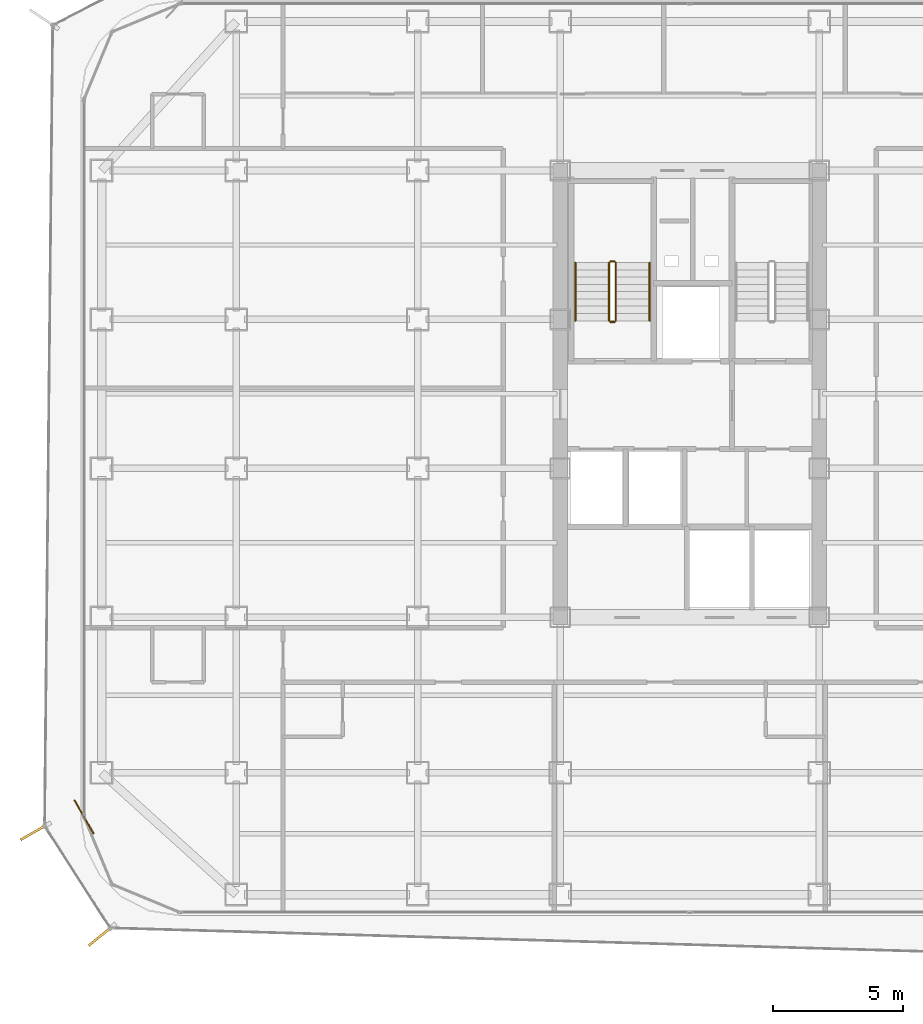
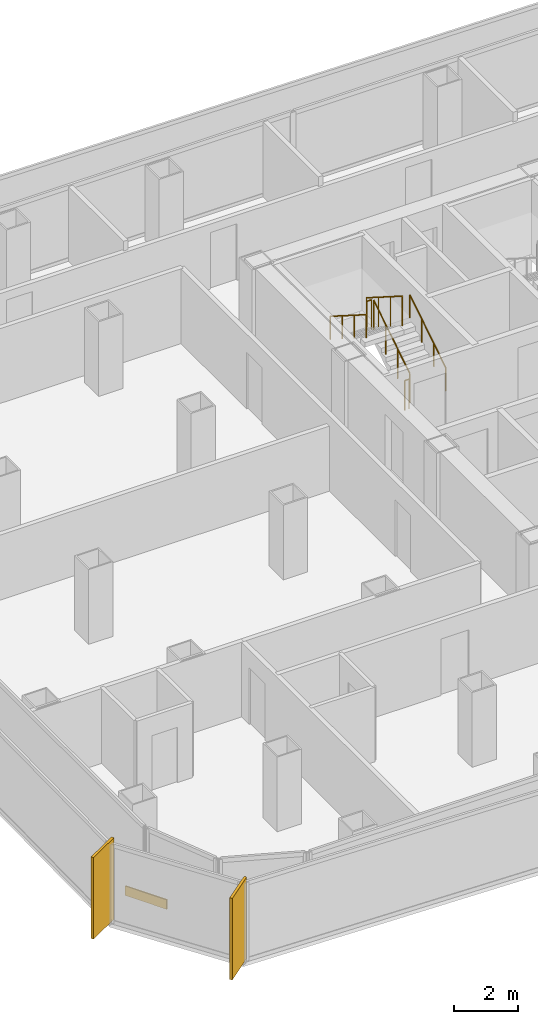
# One storey, part 19 of 21: 6 railings, 2 shading devices, 1 covering.
"""IFC4 building model written with IfcOpenShell, lengths in metres."""

from ifc_helpers import new_model, si_unit, direction, frame, origin, origin_2d, place, context, subcontext, project, spatial, rectangle, circle, extrude, source, transform, mapped, material, layer, layer_set, type_object, element, save


model = new_model("IFC4")

# Units and contexts
model_context = context("Model", 3, precision=1e-05, world=origin(), true_north=direction((0.0, 1.0)))
body_context = subcontext(model_context, "Body", "Model", "MODEL_VIEW")
ifc_project = project(units=[si_unit("LENGTHUNIT", "METRE"), si_unit("AREAUNIT", "SQUARE_METRE"), si_unit("VOLUMEUNIT", "CUBIC_METRE"), si_unit("PLANEANGLEUNIT", "RADIAN"), si_unit("MASSUNIT", "GRAM", prefix="KILO")], contexts=[model_context])

# Site, building, storey
site_placement = place(None, origin())
site = spatial("IfcSite", under=ifc_project, at=site_placement, CompositionType="ELEMENT")
building_placement = place(site_placement, origin())
building = spatial("IfcBuilding", under=site, at=building_placement, Name="Kolveth Station Tower", CompositionType="ELEMENT")
storey_placement = place(building_placement, frame((0.0, 0.0, 148.39990234375)))
storey = spatial("IfcBuildingStorey", under=building, at=storey_placement, Name="L41", CompositionType="ELEMENT", Elevation=148.39990234375)

# Railings
ifc_material_1 = material(Name="Painted Steel S355 balustrade", Category="steel")
railing_type_1 = type_object("IfcRailingType", Name="Guard_GR2", PredefinedType="BALUSTRADE", material=ifc_material_1)
railing_1_placement = place(storey_placement, frame((20.64990234375, 22.949951171875, 0.177978515625)))
element("IfcRailing", 1, at=railing_1_placement, inside=storey, type_object=railing_type_1, Name="L41 ST1 stair guard 1", PredefinedType="BALUSTRADE", context=body_context, shape_type="SweptSolid", body=[
    extrude(circle(Radius=0.02392578125, at=origin_2d()), frame((0.0, 0.0, 1.1259765625), z_axis=(0.0, 0.8442293374, 0.53598211339), x_axis=(-1.0, 0.0, 0.0)), (0.0, 0.0, 1.0), 2.6533203125),
    extrude(circle(Radius=0.02099609375, at=origin_2d()), origin(), (0.0, 0.0, 1.0), 1.101806640625),
    extrude(circle(Radius=0.02099609375, at=origin_2d()), frame((0.0, 0.74658203125, 0.47412109375)), (0.0, 0.0, 1.0), 1.101806640625),
    extrude(circle(Radius=0.02099609375, at=origin_2d()), frame((0.0, 1.493408203125, 0.947998046875)), (0.0, 0.0, 1.0), 1.101806640625),
    extrude(circle(Radius=0.02099609375, at=origin_2d()), frame((0.0, 2.239990234375, 1.422119140625)), (0.0, 0.0, 1.0), 1.101806640625),
])
railing_2_placement = place(storey_placement, frame((20.60009765625, 25.239990234375, 1.60009765625)))
element("IfcRailing", 2, at=railing_2_placement, inside=storey, type_object=railing_type_1, Name="L41 ST1 stair guard 2", PredefinedType="BALUSTRADE", context=body_context, shape_type="SweptSolid", body=[
    extrude(circle(Radius=0.02392578125, at=origin_2d()), frame((0.0, 0.0, 1.1259765625), z_axis=(-1.0, 0.0, 0.0), x_axis=(0.0, -1.0, 0.0)), (0.0, 0.0, 1.0), 0.16015625),
    extrude(circle(Radius=0.02099609375, at=origin_2d()), origin(), (0.0, 0.0, 1.0), 1.101806640625),
    extrude(circle(Radius=0.02099609375, at=origin_2d()), frame((-0.16015625, 0.0, 0.0)), (0.0, 0.0, 1.0), 1.101806640625),
])
railing_3_placement = place(storey_placement, frame((20.389892578125, 25.18994140625, 1.77783203125)))
element("IfcRailing", 3, at=railing_3_placement, inside=storey, type_object=railing_type_1, Name="L41 ST1 stair guard 3", PredefinedType="BALUSTRADE", context=body_context, shape_type="SweptSolid", body=[
    extrude(circle(Radius=0.02392578125, at=origin_2d()), frame((0.0, 0.0, 1.1259765625), z_axis=(0.0, -0.84418770128, 0.536047689118), x_axis=(1.0, 0.0, 0.0)), (0.0, 0.0, 1.0), 2.6533203125),
    extrude(circle(Radius=0.02099609375, at=origin_2d()), origin(), (0.0, 0.0, 1.0), 1.101806640625),
    extrude(circle(Radius=0.02099609375, at=origin_2d()), frame((0.0, -0.74658203125, 0.47412109375)), (0.0, 0.0, 1.0), 1.101806640625),
    extrude(circle(Radius=0.02099609375, at=origin_2d()), frame((0.0, -1.493408203125, 0.9482421875)), (0.0, 0.0, 1.0), 1.101806640625),
    extrude(circle(Radius=0.02099609375, at=origin_2d()), frame((0.0, -2.239990234375, 1.42236328125)), (0.0, 0.0, 1.0), 1.101806640625),
])
railing_4_placement = place(storey_placement, frame((20.60009765625, 22.89990234375, 0.0)))
element("IfcRailing", 4, at=railing_4_placement, inside=storey, type_object=railing_type_1, Name="L41 ST1 stair guard 4", PredefinedType="BALUSTRADE", context=body_context, shape_type="SweptSolid", body=[
    extrude(circle(Radius=0.02392578125, at=origin_2d()), frame((0.0, 0.0, 1.1259765625), z_axis=(-1.0, 0.0, 0.0), x_axis=(0.0, -1.0, 0.0)), (0.0, 0.0, 1.0), 0.16015625),
    extrude(circle(Radius=0.02099609375, at=origin_2d()), origin(), (0.0, 0.0, 1.0), 1.101806640625),
    extrude(circle(Radius=0.02099609375, at=origin_2d()), frame((-0.16015625, 0.0, 0.0)), (0.0, 0.0, 1.0), 1.101806640625),
])
ifc_material_2 = material(Name="Brushed stainless steel", Category="steel")
railing_type_2 = type_object("IfcRailingType", Name="Handrail_HR1", PredefinedType="HANDRAIL", material=ifc_material_2)
railing_5_placement = place(storey_placement, frame((21.949951171875, 22.949951171875, 0.177978515625)))
element("IfcRailing", 5, at=railing_5_placement, inside=storey, type_object=railing_type_2, Name="L41 ST1 stair handrail 1", PredefinedType="HANDRAIL", context=body_context, shape_type="SweptSolid", body=[
    extrude(circle(Radius=0.02392578125, at=origin_2d()), frame((0.0, 0.0, 0.8759765625), z_axis=(0.0, 0.8442293374, 0.53598211339), x_axis=(-1.0, 0.0, 0.0)), (0.0, 0.0, 1.0), 2.6533203125),
    extrude(circle(Radius=0.02099609375, at=origin_2d()), origin(), (0.0, 0.0, 1.0), 0.851806640625),
    extrude(circle(Radius=0.02099609375, at=origin_2d()), frame((0.0, 0.74658203125, 0.47412109375)), (0.0, 0.0, 1.0), 0.851806640625),
    extrude(circle(Radius=0.02099609375, at=origin_2d()), frame((0.0, 1.493408203125, 0.947998046875)), (0.0, 0.0, 1.0), 0.851806640625),
    extrude(circle(Radius=0.02099609375, at=origin_2d()), frame((0.0, 2.239990234375, 1.422119140625)), (0.0, 0.0, 1.0), 0.851806640625),
])
railing_6_placement = place(storey_placement, frame((19.090087890625, 25.18994140625, 1.77783203125)))
element("IfcRailing", 6, at=railing_6_placement, inside=storey, type_object=railing_type_2, Name="L41 ST1 stair handrail 2", PredefinedType="HANDRAIL", context=body_context, shape_type="SweptSolid", body=[
    extrude(circle(Radius=0.02392578125, at=origin_2d()), frame((0.0, 0.0, 0.8759765625), z_axis=(0.0, -0.84418770128, 0.536047689118), x_axis=(1.0, 0.0, 0.0)), (0.0, 0.0, 1.0), 2.6533203125),
    extrude(circle(Radius=0.02099609375, at=origin_2d()), origin(), (0.0, 0.0, 1.0), 0.851806640625),
    extrude(circle(Radius=0.02099609375, at=origin_2d()), frame((0.0, -0.74658203125, 0.47412109375)), (0.0, 0.0, 1.0), 0.851806640625),
    extrude(circle(Radius=0.02099609375, at=origin_2d()), frame((0.0, -1.493408203125, 0.9482421875)), (0.0, 0.0, 1.0), 0.851806640625),
    extrude(circle(Radius=0.02099609375, at=origin_2d()), frame((0.0, -2.239990234375, 1.42236328125)), (0.0, 0.0, 1.0), 0.851806640625),
])

# Shading devices
ifc_material_3 = material(Name="Black anodized aluminium 6063-T6", Category="aluminium")
shading_device_type = type_object("IfcShadingDeviceType", Name="FIN_VF1", PredefinedType="USERDEFINED", material=ifc_material_3)
shared_shape_1 = source(origin(), body_context, "Body", "SweptSolid", [
    extrude(rectangle(XDim=1.25, YDim=0.090087890625, at=origin_2d()), origin(), (0.0, 0.0, 1.0), 3.10009765625),
])
for number, where, z_axis, x_axis, name in (
    (7, (-1.785888671875, 3.221923828125, 0.0), (0.0, 0.0, 1.0), (-0.868545027358, -0.495610265685, 0.0), "L41 Dark-Aluminium Solar Fin 7"),
    (8, (0.785888671875, -0.777099609375, 0.0), (0.0, 0.0, 1.0), (-0.776596479968, -0.629998339126, 0.0), "L41 Dark-Aluminium Solar Fin 8"),
):
    element("IfcShadingDevice", number, at=place(storey_placement, frame(where, z_axis=z_axis, x_axis=x_axis)), inside=storey, type_object=shading_device_type, Name=name, ObjectType="FIN", PredefinedType="USERDEFINED", context=body_context, shape_type="MappedRepresentation", body=[
        mapped(shared_shape_1, transform((0.0, 0.0, 0.0), x_axis=(1.0, 0.0, 0.0), y_axis=(0.0, 1.0, 0.0), z_axis=(0.0, 0.0, 1.0), scale=1.0)),
    ])

# Covering
ifc_material_4 = material(Name="Charcoal anodized aluminium spandrel cladding", Category="aluminium")
ifc_layer = layer(ifc_material_4, 0.044921875)
ifc_layer_set = layer_set([ifc_layer], Name="Charcoal anodized aluminium spandrel cladding")
covering_type = type_object("IfcCoveringType", Name="Clad_CD1", PredefinedType="CLADDING", material=ifc_layer_set)
shared_shape_2 = source(origin(), body_context, "Body", "SweptSolid", [
    extrude(rectangle(XDim=1.5, YDim=0.044921875, at=origin_2d()), origin(), (0.0, 0.0, 1.0), 0.360107421875),
])
covering_placement = place(storey_placement, frame((0.1201171875, 3.800048828125, 0.0), z_axis=(0.0, 0.0, 1.0), x_axis=(0.495610265685, -0.868545027358, 0.0)))
element("IfcCovering", 9, at=covering_placement, inside=storey, type_object=covering_type, Name="L41 Spandrel Edge Cladding 7", PredefinedType="CLADDING", context=body_context, shape_type="MappedRepresentation", body=[
    mapped(shared_shape_2, transform((0.0, 0.0, 0.0), x_axis=(1.0, 0.0, 0.0), y_axis=(0.0, 1.0, 0.0), z_axis=(0.0, 0.0, 1.0), scale=1.0)),
])

save(model, "model.ifc")
